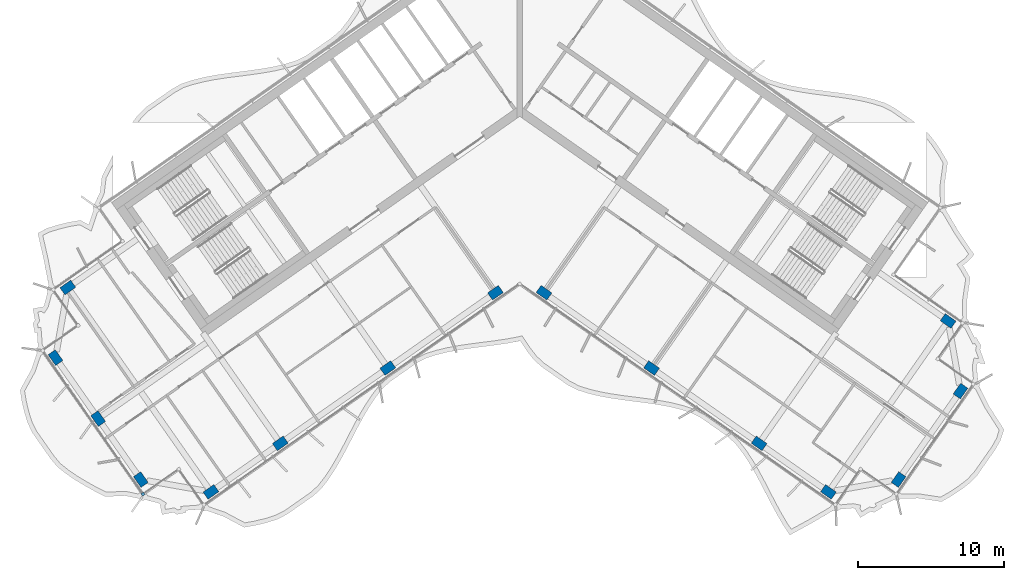
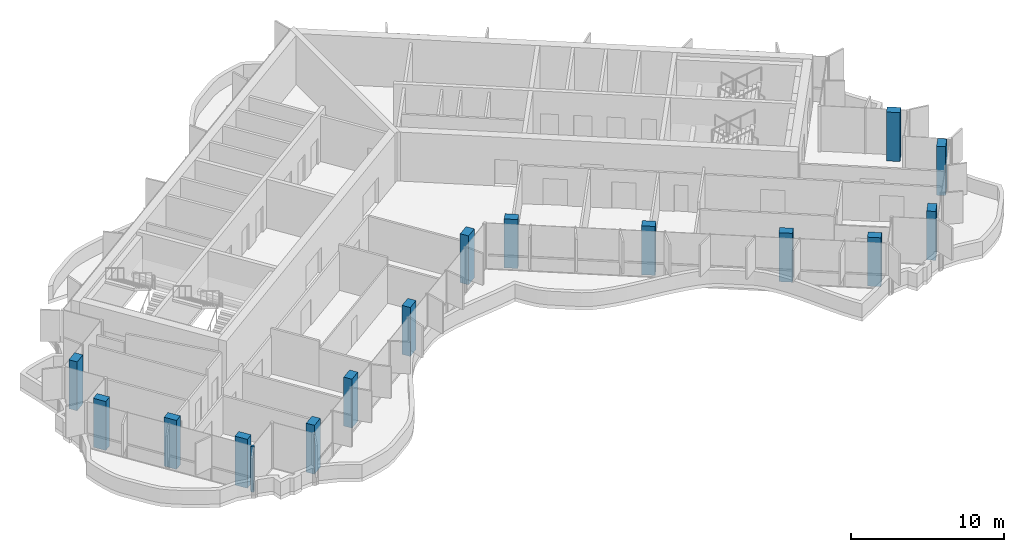
# One storey, part 1 of 18: 15 columns, 1 member, 1 element without a shape of its own.
"""IFC4 building model written with IfcOpenShell, lengths in metres."""

import ifcopenshell
import ifcopenshell.guid

model = None  # the IFC model being written
_history = None  # IfcOwnerHistory: only IFC2X3 demands one
_inside = {}  # id of a spatial element -> (the spatial element, [elements in it])
_under = {}  # id of a project, library or spatial element -> (it, [spatial elements below it])
_declared = {}  # id of a project -> (the project, [libraries it declares])
_typed = {}  # id of a type object -> (the type object, [elements of that type])
_made_of = {}  # id of a material, layer set ... -> (it, [elements and type objects made of it])


def new_model(schema):
    """Start an empty IFC model of exactly this schema.

    Asked for "IFC4X3", IfcOpenShell would pick the latest addendum, in which some entities
    have other attributes; the version numbers below select the first issue.
    IFC2X3 requires an IfcOwnerHistory on every rooted entity: one is made here for all.
    """
    global model, _history
    if schema == "IFC4X3":
        model = ifcopenshell.file(schema_version=(4, 3, 0, 0))
    else:
        model = ifcopenshell.file(schema=schema)
    _inside.clear()
    _under.clear()
    _declared.clear()
    _typed.clear()
    _made_of.clear()
    _history = None
    if model.schema == "IFC2X3":
        org = make("IfcOrganization", Name="unknown")
        user = make(
            "IfcPersonAndOrganization",
            ThePerson=make("IfcPerson", FamilyName="unknown"),
            TheOrganization=org,
        )
        app = make(
            "IfcApplication",
            ApplicationDeveloper=org,
            Version="unknown",
            ApplicationFullName="unknown",
            ApplicationIdentifier="unknown",
        )
        _history = make(
            "IfcOwnerHistory",
            OwningUser=user,
            OwningApplication=app,
            ChangeAction="ADDED",
            CreationDate=0,
        )
    return model


def make(cls, **values):
    """One entity of the class cls with the attributes given. An attribute that is None is left unset."""
    return model.create_entity(
        cls, **{name: value for name, value in values.items() if value is not None}
    )


def rooted(cls, **values):
    """An entity with a GlobalId (a new one), such as an element, a storey or a relation."""
    return make(cls, GlobalId=ifcopenshell.guid.new(), OwnerHistory=_history, **values)


def si_unit(unit_type, name, prefix=None):
    """IfcSIUnit, for example si_unit("LENGTHUNIT", "METRE", prefix="MILLI")."""
    return make("IfcSIUnit", UnitType=unit_type, Prefix=prefix, Name=name)


def assignment(units):
    """IfcUnitAssignment: the units of a project."""
    return None if units is None else make("IfcUnitAssignment", Units=units)


def point(xyz):
    """IfcCartesianPoint."""
    return None if xyz is None else make("IfcCartesianPoint", Coordinates=xyz)


def direction(xyz):
    """IfcDirection."""
    return None if xyz is None else make("IfcDirection", DirectionRatios=xyz)


def frame(location, z_axis=None, x_axis=None):
    """IfcAxis2Placement3D, a coordinate frame: its origin and axes. An axis left out is left unset."""
    return make(
        "IfcAxis2Placement3D",
        Location=point(location),
        Axis=direction(z_axis),
        RefDirection=direction(x_axis),
    )


def frame_2d(location, x_axis=None):
    """IfcAxis2Placement2D, a coordinate frame in the plane: its origin and x axis."""
    return make(
        "IfcAxis2Placement2D", Location=point(location), RefDirection=direction(x_axis)
    )


def origin():
    """The frame at (0, 0, 0) with its axes left unset."""
    return frame((0.0, 0.0, 0.0))


def origin_2d():
    """The frame at (0, 0) in the plane with its x axis left unset."""
    return frame_2d((0.0, 0.0))


def place(relative_to, where):
    """IfcLocalPlacement: puts the frame where relative to a parent placement (None: the world)."""
    return make(
        "IfcLocalPlacement", PlacementRelTo=relative_to, RelativePlacement=where
    )


def context(
    kind, dimensions, precision=None, world=None, true_north=None, identifier=None
):
    """IfcGeometricRepresentationContext, for example the 3D "Model" context."""
    return make(
        "IfcGeometricRepresentationContext",
        ContextIdentifier=identifier,
        ContextType=kind,
        CoordinateSpaceDimension=dimensions,
        Precision=precision,
        WorldCoordinateSystem=world,
        TrueNorth=true_north,
    )


def subcontext(parent, identifier, kind, view, scale=None):
    """IfcGeometricRepresentationSubContext, for example "Body" below "Model"."""
    return make(
        "IfcGeometricRepresentationSubContext",
        ContextIdentifier=identifier,
        ContextType=kind,
        ParentContext=parent,
        TargetScale=scale,
        TargetView=view,
    )


def project(units=None, contexts=None):
    """IfcProject with its units and contexts."""
    return rooted(
        "IfcProject",
        Name="project",
        RepresentationContexts=contexts,
        UnitsInContext=assignment(units),
    )


def spatial(cls, under=None, at=None, **own):
    """A site, building, storey or space (cls), placed at a placement, below another one or the project."""
    s = rooted(cls, ObjectPlacement=at, **own)
    if under is not None:
        _under.setdefault(under.id(), (under, []))[1].append(s)
    return s


def profile(cls, at=None, kind="AREA", **sizes):
    """A parametric profile (cls). Its sizes go by their IFC names, for example OverallWidth=200.0."""
    return make(cls, ProfileType=kind, Position=at, **sizes)


def rectangle(**sizes):
    """IfcRectangleProfileDef."""
    return profile("IfcRectangleProfileDef", **sizes)


def extrude(swept, where, along, depth):
    """IfcExtrudedAreaSolid: the profile swept, set in the frame where, extruded along a direction by depth."""
    return make(
        "IfcExtrudedAreaSolid",
        SweptArea=swept,
        Position=where,
        ExtrudedDirection=direction(along),
        Depth=depth,
    )


def shape(context_of_items, identifier, shape_type, items):
    """IfcShapeRepresentation: the items that make up one representation, for example the "Body"."""
    return make(
        "IfcShapeRepresentation",
        ContextOfItems=context_of_items,
        RepresentationIdentifier=identifier,
        RepresentationType=shape_type,
        Items=items,
    )


def material(Name=None, Category=None):
    """IfcMaterial."""
    return make("IfcMaterial", Name=Name, Category=Category)


def material_profile(
    of_material, cross_section, Name=None, Category=None, Priority=None
):
    """IfcMaterialProfile: a cross section and its material."""
    return make(
        "IfcMaterialProfile",
        Name=Name,
        Material=of_material,
        Profile=cross_section,
        Priority=Priority,
        Category=Category,
    )


def profile_set(profiles, Name=None, composite=None):
    """IfcMaterialProfileSet."""
    return make(
        "IfcMaterialProfileSet",
        Name=Name,
        MaterialProfiles=profiles,
        CompositeProfile=composite,
    )


def made_of(thing, what):
    """Note that an element or type object is made of a material, layer set ...; save() writes the relation."""
    if what is not None:
        _made_of.setdefault(what.id(), (what, []))[1].append(thing)
    return thing


def type_object(cls, material=None, **own):
    """A type object (cls), such as IfcWallType, which elements share."""
    return made_of(rooted(cls, **own), material)


def element(
    cls,
    number,
    at=None,
    inside=None,
    cuts=None,
    type_object=None,
    material=None,
    context=None,
    identifier="Body",
    shape_type=None,
    held_by="IfcProductDefinitionShape",
    body=None,
    shapes=None,
    **own,
):
    """One element of the class cls, such as IfcWall. Its Tag is "e" and its number.

    at: its placement. inside: the storey or other place that contains it. cuts: it is an
    opening in that element (IfcRelVoidsElement). A single representation is given by context,
    identifier, shape_type and body (its items); several are given by shapes. held_by: the class
    of the entity that holds the representations. save() writes the other relations.
    """
    e = rooted(cls, Tag="e%d" % number, ObjectPlacement=at, **own)
    if body is not None:
        shapes = [shape(context, identifier, shape_type, body)]
    if shapes is not None:
        e.Representation = make(held_by, Representations=shapes)
    if inside is not None:
        _inside.setdefault(inside.id(), (inside, []))[1].append(e)
    if cuts is not None:
        rooted(
            "IfcRelVoidsElement", RelatingBuildingElement=cuts, RelatedOpeningElement=e
        )
    if type_object is not None:
        _typed.setdefault(type_object.id(), (type_object, []))[1].append(e)
    return made_of(e, material)


def aggregate(whole, parts):
    """IfcRelAggregates: a whole, such as a stair, and the parts it consists of."""
    return rooted("IfcRelAggregates", RelatingObject=whole, RelatedObjects=parts)


def save(model, path):
    """Write the relations noted so far, then the file.

    IfcRelAggregates (storeys below a building ...), IfcRelContainedInSpatialStructure (elements
    in a storey), IfcRelDefinesByType, IfcRelAssociatesMaterial and IfcRelDeclares: one each for
    every whole, place, type object, material and project.
    """
    for whole, parts in _under.values():
        aggregate(whole, parts)
    for where, things in _inside.values():
        rooted(
            "IfcRelContainedInSpatialStructure",
            RelatedElements=things,
            RelatingStructure=where,
        )
    for kind, things in _typed.values():
        rooted("IfcRelDefinesByType", RelatedObjects=things, RelatingType=kind)
    for what, things in _made_of.values():
        rooted("IfcRelAssociatesMaterial", RelatedObjects=things, RelatingMaterial=what)
    for by, libraries in _declared.values():
        rooted("IfcRelDeclares", RelatingContext=by, RelatedDefinitions=libraries)
    model.write(path)


model = new_model("IFC4")

# Units and contexts
model_context = context("Model", 3, precision=1e-05, world=origin(), true_north=direction((0.0, 1.0)))
body_context = subcontext(model_context, "Body", "Model", "MODEL_VIEW")
ifc_project = project(units=[si_unit("LENGTHUNIT", "METRE"), si_unit("AREAUNIT", "SQUARE_METRE"), si_unit("VOLUMEUNIT", "CUBIC_METRE"), si_unit("PLANEANGLEUNIT", "RADIAN"), si_unit("MASSUNIT", "GRAM", prefix="KILO")], contexts=[model_context])

# Site, building, storey
site_placement = place(None, origin())
site = spatial("IfcSite", under=ifc_project, at=site_placement, CompositionType="ELEMENT")
building_placement = place(site_placement, origin())
building = spatial("IfcBuilding", under=site, at=building_placement, Name="Tel Ilan Convention Tower", CompositionType="ELEMENT")
storey_placement = place(building_placement, frame((0.0, 0.0, 264.39990234375)))
storey = spatial("IfcBuildingStorey", under=building, at=storey_placement, Name="L62", CompositionType="ELEMENT", Elevation=264.39990234375)

# Columns
ifc_material_1 = material(Name="Concrete C40/50", Category="concrete")
ifc_material_profile_1 = material_profile(ifc_material_1, rectangle(XDim=0.89990234375, YDim=0.60009765625, at=origin_2d()), Name="RC 600x900")
ifc_profile_set_1 = profile_set([ifc_material_profile_1], Name="Concrete C40/50")
column_type = type_object("IfcColumnType", Name="Column RC 600x900 C40/50", PredefinedType="COLUMN", material=ifc_profile_set_1)
for number, where, z_axis, x_axis, name in (
    (1, (-1.665283203125, -13.312744140625, 0.0), (0.0, 0.0, 1.0), (-0.819152044289, -0.573576436351, 0.0), "L62 column W-F1"),
    (2, (-9.03759765625, -18.474853515625, 0.0), (0.0, 0.0, 1.0), (-0.819152044289, -0.573576436351, 0.0), "L62 column W-F2"),
    (3, (-16.409912109375, -23.63720703125, 0.0), (0.0, 0.0, 1.0), (-0.819152044289, -0.573576436351, 0.0), "L62 column W-F3"),
    (4, (-21.1611328125, -26.9638671875, 0.0), (0.0, 0.0, 1.0), (-0.819152044289, -0.573576436351, 0.0), "L62 column W-FC"),
    (5, (-30.96923828125, -12.956298828125, 0.0), (0.0, 0.0, 1.0), (-0.819152044289, -0.573576436351, 0.0), "L62 column W-BC"),
    (6, (-25.966064453125, -26.11669921875, 0.0), (0.0, 0.0, 1.0), (-0.573576436351, 0.819152044289, 0.0), "L62 column W-E1"),
    (7, (-28.891357421875, -21.93896484375, 0.0), (0.0, 0.0, 1.0), (-0.573576436351, 0.819152044289, 0.0), "L62 column W-E2"),
    (8, (-31.81640625, -17.76123046875, 0.0), (0.0, 0.0, 1.0), (-0.573576436351, 0.819152044289, 0.0), "L62 column W-E3"),
    (9, (1.665283203125, -13.312744140625, 0.0), (0.0, 0.0, 1.0), (0.819152044289, -0.573576436351, 0.0), "L62 column E-F1"),
    (10, (9.03759765625, -18.474853515625, 0.0), (0.0, 0.0, 1.0), (0.819152044289, -0.573576436351, 0.0), "L62 column E-F2"),
    (11, (16.409912109375, -23.63720703125, 0.0), (0.0, 0.0, 1.0), (0.819152044289, -0.573576436351, 0.0), "L62 column E-F3"),
    (12, (21.1611328125, -26.9638671875, 0.0), (0.0, 0.0, 1.0), (0.819152044289, -0.573576436351, 0.0), "L62 column E-FC"),
    (13, (29.36328125, -15.25, 0.0), (0.0, 0.0, 1.0), (0.819152044289, -0.573576436351, 0.0), "L62 column E-BC"),
    (14, (25.966064453125, -26.11669921875, 0.0), (0.0, 0.0, 1.0), (0.573576436351, 0.819152044289, 0.0), "L62 column E-E1"),
    (15, (30.21044921875, -20.054931640625, 0.0), (0.0, 0.0, 1.0), (0.573576436351, 0.819152044289, 0.0), "L62 column E-E2"),
):
    element("IfcColumn", number, at=place(storey_placement, frame(where, z_axis=z_axis, x_axis=x_axis)), inside=storey, type_object=column_type, Name=name, PredefinedType="COLUMN", context=body_context, shape_type="SweptSolid", body=[
        extrude(rectangle(XDim=0.89990234375, YDim=0.60009765625, at=origin_2d()), origin(), (0.0, 0.0, 1.0), 3.900146484375),
    ])

# Curtain wall, member
ifc_material_2 = material(Name="Aluminium, bronze anodised", Category="aluminium")
curtain_wall_type = type_object("IfcCurtainWallType", Name="CW5 STICK CURTAIN WALL, UPPER OFFICE LOW-IRON TINTED GLASS", PredefinedType="NOTDEFINED", material=ifc_material_2)
curtain_wall_placement = place(storey_placement, origin())
curtain_wall = element("IfcCurtainWall", 16, at=curtain_wall_placement, inside=storey, type_object=curtain_wall_type, Name="Curtain wall CW5-47.02", PredefinedType="NOTDEFINED")
ifc_material_3 = material(Name="Aluminium, bronze anodised", Category="aluminium")
ifc_material_profile_2 = material_profile(ifc_material_3, rectangle(XDim=0.199951171875, YDim=0.199951171875, at=origin_2d()), Name="CW CORNER MULLION 200x200")
ifc_profile_set_2 = profile_set([ifc_material_profile_2], Name="Aluminium, bronze anodised")
member_type = type_object("IfcMemberType", Name="CW CORNER MULLION 200x200", PredefinedType="MULLION", material=ifc_profile_set_2)
member_placement = place(storey_placement, frame((-25.818359375, -27.112060546875, 0.0), z_axis=(0.0, 0.0, 1.0), x_axis=(0.573576436351, -0.819152044289, 0.0)))
member = element("IfcMember", 17, at=member_placement, type_object=member_type, Name="Corner mullion", PredefinedType="MULLION", context=body_context, shape_type="SweptSolid", body=[
    extrude(rectangle(XDim=0.199951171875, YDim=0.199951171875, at=origin_2d()), origin(), (0.0, 0.0, 1.0), 3.6201171875),
])
aggregate(curtain_wall, [member])

save(model, "model.ifc")
